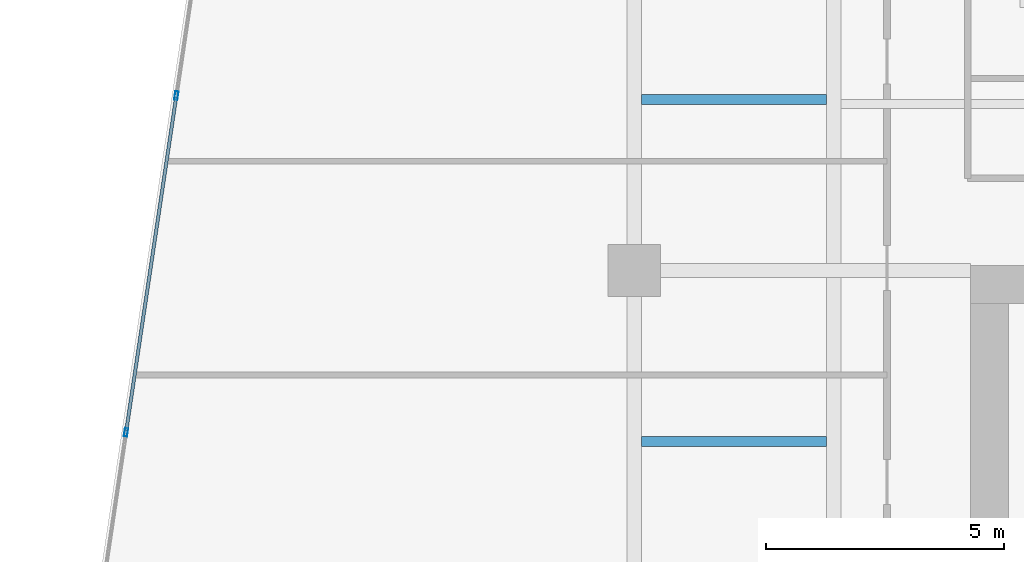
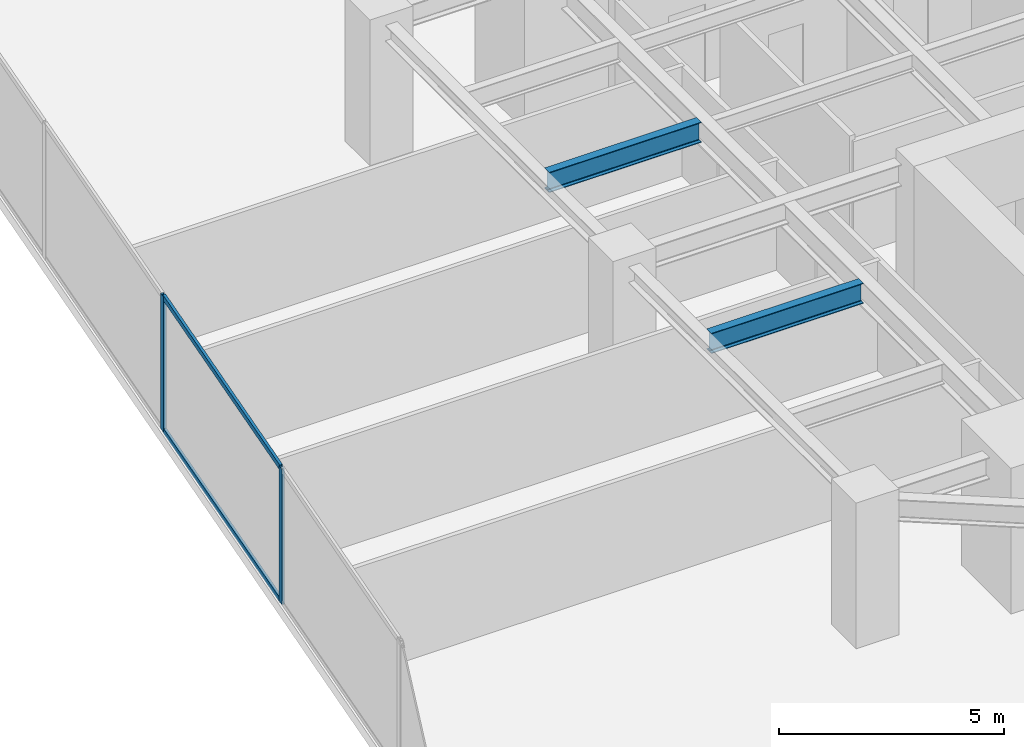
# One storey, part 8 of 29: 4 members, 2 beams, 1 element without a shape of its own.
"""IFC4 building model written with IfcOpenShell, lengths in metres."""

from ifc_helpers import new_model, si_unit, direction, frame, origin, origin_2d, place, context, subcontext, project, spatial, hollow_rectangle, i_section, extrude, source, transform, mapped, material, material_profile, profile_set, type_object, type_shapes, element, aggregate, save


model = new_model("IFC4")

# Units and contexts
model_context = context("Model", 3, precision=1e-05, world=origin(), true_north=direction((0.0, 1.0)))
body_context = subcontext(model_context, "Body", "Model", "MODEL_VIEW")
ifc_project = project(units=[si_unit("LENGTHUNIT", "METRE"), si_unit("AREAUNIT", "SQUARE_METRE"), si_unit("VOLUMEUNIT", "CUBIC_METRE"), si_unit("PLANEANGLEUNIT", "RADIAN"), si_unit("MASSUNIT", "GRAM", prefix="KILO")], contexts=[model_context])

# Site, building, storey
site_placement = place(None, origin())
site = spatial("IfcSite", under=ifc_project, at=site_placement, CompositionType="ELEMENT")
building_placement = place(site_placement, origin())
building = spatial("IfcBuilding", under=site, at=building_placement, Name="Krantzveldt Concourse Tower", CompositionType="ELEMENT")
storey_placement = place(building_placement, frame((0.0, 0.0, 68.449951171875)))
storey = spatial("IfcBuildingStorey", under=building, at=storey_placement, Name="L16", CompositionType="ELEMENT", Elevation=68.449951171875)

# Beams
ifc_material_1 = material(Name="Steel S355JR", Category="steel")
ifc_material_profile_1 = material_profile(ifc_material_1, i_section(OverallWidth=0.2099609375, OverallDepth=0.550048828125, WebThickness=0.010986328125, FlangeThickness=0.01708984375, FilletRadius=0.02392578125, at=origin_2d()), Name="Steel S355JR", Category="steel")
ifc_profile_set_1 = profile_set([ifc_material_profile_1], Name="Steel S355JR - IPE 550")
beam_type = type_object("IfcBeamType", Name="BM-J-IPE550", PredefinedType="JOIST", material=ifc_profile_set_1)
shared_shape_1 = source(origin(), body_context, "Body", "SweptSolid", [
    extrude(i_section(OverallWidth=0.2099609375, OverallDepth=0.550048828125, WebThickness=0.010986328125, FlangeThickness=0.01708984375, FilletRadius=0.02392578125, at=origin_2d()), origin(), (0.0, 0.0, 1.0), 3.900146484375),
])
type_shapes(beam_type, [shared_shape_1])
for number, where, z_axis, x_axis, name in (
    (1, (21.14990234375, 23.10009765625, 3.39501953125), (1.0, 0.0, 0.0), (0.0, 1.0, 0.0), "L16 Secondary Floor Joist JW-2"),
    (2, (21.14990234375, 30.300048828125, 3.39501953125), (1.0, 0.0, 0.0), (0.0, 1.0, 0.0), "L16 Secondary Floor Joist JW-3"),
):
    element("IfcBeam", number, at=place(storey_placement, frame(where, z_axis=z_axis, x_axis=x_axis)), inside=storey, type_object=beam_type, Name=name, PredefinedType="JOIST", context=body_context, shape_type="MappedRepresentation", body=[
        mapped(shared_shape_1, transform((0.0, 0.0, 0.0), x_axis=(1.0, 0.0, 0.0), y_axis=(0.0, 1.0, 0.0), z_axis=(0.0, 0.0, 1.0), scale=1.0)),
    ])

# Curtain wall, members
ifc_material_2 = material(Name="Anodised aluminium 6063-T6", Category="aluminium")
curtain_wall_type = type_object("IfcCurtainWallType", Name="CW2", PredefinedType="USERDEFINED", material=ifc_material_2)
curtain_wall_placement = place(storey_placement, origin())
curtain_wall = element("IfcCurtainWall", 3, at=curtain_wall_placement, inside=storey, type_object=curtain_wall_type, Name="CW-L16-F01", ObjectType="UNITISED CURTAIN WALL", PredefinedType="USERDEFINED")
ifc_material_profile_2 = material_profile(ifc_material_2, hollow_rectangle(XDim=0.070068359375, YDim=0.139892578125, WallThickness=0.0048828125, at=origin_2d()), Name="Anodised aluminium 6063-T6", Category="aluminium")
ifc_profile_set_2 = profile_set([ifc_material_profile_2], Name="Anodised aluminium 6063-T6 - ALU-TRAN 140x70x5")
member_type_1 = type_object("IfcMemberType", Name="CW-TRN-150", PredefinedType="USERDEFINED", material=ifc_profile_set_2)
shared_shape_2 = source(origin(), body_context, "Body", "SweptSolid", [
    extrude(hollow_rectangle(XDim=0.070068359375, YDim=0.139892578125, WallThickness=0.0048828125, at=origin_2d()), origin(), (0.0, 0.0, 1.0), 7.0966796875),
])
type_shapes(member_type_1, [shared_shape_2])
member_1_placement = place(storey_placement, frame((11.3583984375, 30.347412109375, 0.03515625), z_axis=(-0.14779033687, -0.989018713841, 0.0), x_axis=(0.989018713841, -0.14779033687, 0.0)))
member_1 = element("IfcMember", 4, at=member_1_placement, type_object=member_type_1, Name="CW-Z12 transom 4.1", ObjectType="TRANSOM", PredefinedType="USERDEFINED", context=body_context, shape_type="MappedRepresentation", body=[
    mapped(shared_shape_2, transform((0.0, 0.0, 0.0), x_axis=(1.0, 0.0, 0.0), y_axis=(0.0, 1.0, 0.0), z_axis=(0.0, 0.0, 1.0), scale=1.0)),
])
member_2_placement = place(storey_placement, frame((11.3583984375, 30.347412109375, 3.635009765625), z_axis=(-0.14779033687, -0.989018713841, 0.0), x_axis=(0.989018713841, -0.14779033687, 0.0)))
member_2 = element("IfcMember", 5, at=member_2_placement, type_object=member_type_1, Name="CW-Z12 transom 4.2", ObjectType="TRANSOM", PredefinedType="USERDEFINED", context=body_context, shape_type="MappedRepresentation", body=[
    mapped(shared_shape_2, transform((0.0, 0.0, 0.0), x_axis=(1.0, 0.0, 0.0), y_axis=(0.0, 1.0, 0.0), z_axis=(0.0, 0.0, 1.0), scale=1.0)),
])
ifc_material_profile_3 = material_profile(ifc_material_2, hollow_rectangle(XDim=0.070068359375, YDim=0.179931640625, WallThickness=0.0048828125, at=origin_2d()), Name="Anodised aluminium 6063-T6", Category="aluminium")
ifc_profile_set_3 = profile_set([ifc_material_profile_3], Name="Anodised aluminium 6063-T6 - ALU-MULL 180x70x5")
member_type_2 = type_object("IfcMemberType", Name="CW-MUL-180", PredefinedType="MULLION", material=ifc_profile_set_3)
shared_shape_3 = source(origin(), body_context, "Body", "SweptSolid", [
    extrude(hollow_rectangle(XDim=0.070068359375, YDim=0.179931640625, WallThickness=0.0048828125, at=origin_2d()), origin(), (0.0, 0.0, 1.0), 3.670166015625),
])
type_shapes(member_type_2, [shared_shape_3])
member_3_placement = place(storey_placement, frame((11.363525390625, 30.3818359375, 0.0), z_axis=(0.0, 0.0, 1.0), x_axis=(0.989015849271, -0.147809505412, 0.0)))
member_3 = element("IfcMember", 6, at=member_3_placement, type_object=member_type_2, Name="CW-Z12 mullion 4", PredefinedType="MULLION", context=body_context, shape_type="MappedRepresentation", body=[
    mapped(shared_shape_3, transform((0.0, 0.0, 0.0), x_axis=(1.0, 0.0, 0.0), y_axis=(0.0, 1.0, 0.0), z_axis=(0.0, 0.0, 1.0), scale=1.0)),
])
member_4_placement = place(storey_placement, frame((10.30419921875, 23.2939453125, 0.0), z_axis=(0.0, 0.0, 1.0), x_axis=(0.989015849271, -0.147809505412, 0.0)))
member_4 = element("IfcMember", 7, at=member_4_placement, type_object=member_type_2, Name="CW-Z12 mullion 5", PredefinedType="MULLION", context=body_context, shape_type="MappedRepresentation", body=[
    mapped(shared_shape_3, transform((0.0, 0.0, 0.0), x_axis=(1.0, 0.0, 0.0), y_axis=(0.0, 1.0, 0.0), z_axis=(0.0, 0.0, 1.0), scale=1.0)),
])
aggregate(curtain_wall, [member_3, member_4, member_1, member_2])

save(model, "model.ifc")
